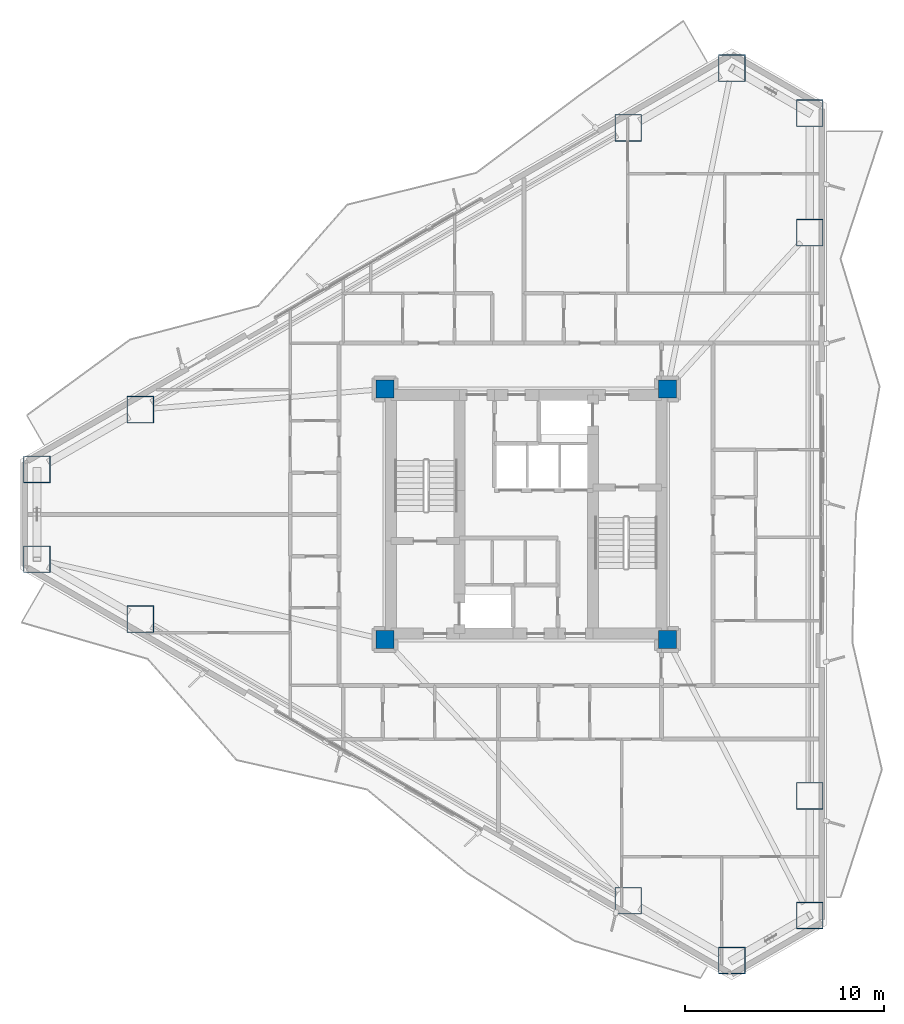
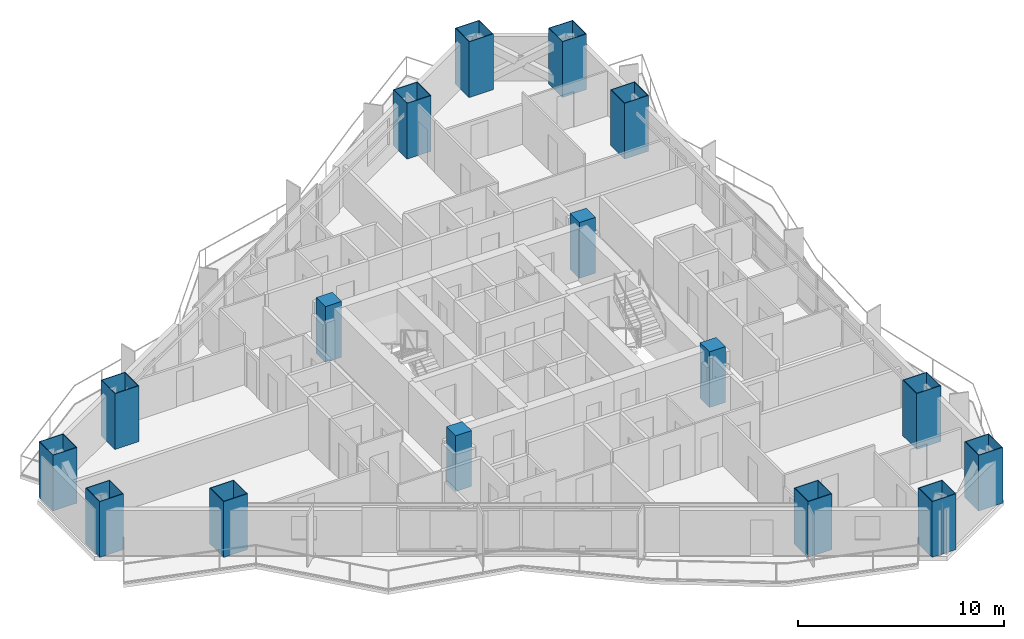
# One storey, part 1 of 18: 16 columns.
"""IFC4 building model written with IfcOpenShell, lengths in metres."""

from ifc_helpers import new_model, si_unit, direction, frame, origin, origin_2d, place, context, subcontext, project, spatial, rectangle, hollow_rectangle, extrude, material, material_profile, profile_set, type_object, element, save


model = new_model("IFC4")

# Units and contexts
model_context = context("Model", 3, precision=1e-05, world=origin(), true_north=direction((0.0, 1.0)))
body_context = subcontext(model_context, "Body", "Model", "MODEL_VIEW")
ifc_project = project(units=[si_unit("LENGTHUNIT", "METRE"), si_unit("AREAUNIT", "SQUARE_METRE"), si_unit("VOLUMEUNIT", "CUBIC_METRE"), si_unit("PLANEANGLEUNIT", "RADIAN"), si_unit("MASSUNIT", "GRAM", prefix="KILO")], contexts=[model_context])

# Site, building, storey
site_placement = place(None, origin())
site = spatial("IfcSite", under=ifc_project, at=site_placement, CompositionType="ELEMENT")
building_placement = place(site_placement, origin())
building = spatial("IfcBuilding", under=site, at=building_placement, Name="Mersakhor Tower and Convention Hall", CompositionType="ELEMENT")
storey_placement = place(building_placement, frame((0.0, 0.0, 32.39990234375)))
storey = spatial("IfcBuildingStorey", under=building, at=storey_placement, Name="L08", CompositionType="ELEMENT", Elevation=32.39990234375)

# Columns
ifc_material_1 = material(Name="Concrete C70/85 in S460M steel box", Category="concrete")
ifc_material_profile_1 = material_profile(ifc_material_1, hollow_rectangle(XDim=1.35009765625, YDim=1.35009765625, WallThickness=0.035888671875, at=origin_2d()), Name="SHS 1350x1350x36")
ifc_profile_set_1 = profile_set([ifc_material_profile_1], Name="Concrete C70/85 in S460M steel box")
column_type_1 = type_object("IfcColumnType", Name="COL-CFT-1350", PredefinedType="COLUMN", material=ifc_profile_set_1)
for number, where, z_axis, x_axis, name in (
    (1, (4.4130859375, 29.00927734375, 0.0), (0.0, 0.0, 1.0), (1.0, 0.0, 0.0), "L08 Perimeter Mega-Column MC-01"),
    (2, (9.61669921875, 32.013671875, 0.0), (0.0, 0.0, 1.0), (1.0, 0.0, 0.0), "L08 Perimeter Mega-Column MC-02"),
    (3, (34.13330078125, 46.168212890625, 0.0), (0.0, 0.0, 1.0), (1.0, 0.0, 0.0), "L08 Perimeter Mega-Column MC-03"),
    (4, (39.3369140625, 49.172607421875, 0.0), (0.0, 0.0, 1.0), (1.0, 0.0, 0.0), "L08 Perimeter Mega-Column MC-04"),
    (5, (43.25, 46.913330078125, 0.0), (0.0, 0.0, 1.0), (1.0, 0.0, 0.0), "L08 Perimeter Mega-Column MC-05"),
    (6, (43.25, 40.904541015625, 0.0), (0.0, 0.0, 1.0), (1.0, 0.0, 0.0), "L08 Perimeter Mega-Column MC-06"),
    (7, (43.25, 12.595458984375, 0.0), (0.0, 0.0, 1.0), (1.0, 0.0, 0.0), "L08 Perimeter Mega-Column MC-07"),
    (8, (43.25, 6.586669921875, 0.0), (0.0, 0.0, 1.0), (1.0, 0.0, 0.0), "L08 Perimeter Mega-Column MC-08"),
    (9, (39.3369140625, 4.327392578125, 0.0), (0.0, 0.0, 1.0), (1.0, 0.0, 0.0), "L08 Perimeter Mega-Column MC-09"),
    (10, (34.13330078125, 7.331787109375, 0.0), (0.0, 0.0, 1.0), (1.0, 0.0, 0.0), "L08 Perimeter Mega-Column MC-10"),
    (11, (9.61669921875, 21.486328125, 0.0), (0.0, 0.0, 1.0), (1.0, 0.0, 0.0), "L08 Perimeter Mega-Column MC-11"),
    (12, (4.4130859375, 24.49072265625, 0.0), (0.0, 0.0, 1.0), (1.0, 0.0, 0.0), "L08 Perimeter Mega-Column MC-12"),
):
    element("IfcColumn", number, at=place(storey_placement, frame(where, z_axis=z_axis, x_axis=x_axis)), inside=storey, type_object=column_type_1, Name=name, PredefinedType="COLUMN", context=body_context, shape_type="SweptSolid", body=[
        extrude(hollow_rectangle(XDim=1.35009765625, YDim=1.35009765625, WallThickness=0.035888671875, at=origin_2d()), origin(), (0.0, 0.0, 1.0), 3.300048828125),
    ])
ifc_material_2 = material(Name="Concrete C60/75", Category="concrete")
ifc_material_profile_2 = material_profile(ifc_material_2, rectangle(XDim=0.89990234375, YDim=0.89990234375, at=origin_2d()), Name="RC 900x900")
ifc_profile_set_2 = profile_set([ifc_material_profile_2], Name="Concrete C60/75")
column_type_2 = type_object("IfcColumnType", Name="COL-RC-900", PredefinedType="COLUMN", material=ifc_profile_set_2)
for number, where, z_axis, x_axis, name in (
    (13, (21.89990234375, 20.449951171875, 0.0), (0.0, 0.0, 1.0), (1.0, 0.0, 0.0), "L08 Core Corner Column CC-1"),
    (14, (21.89990234375, 33.050048828125, 0.0), (0.0, 0.0, 1.0), (1.0, 0.0, 0.0), "L08 Core Corner Column CC-2"),
    (15, (36.10009765625, 33.050048828125, 0.0), (0.0, 0.0, 1.0), (1.0, 0.0, 0.0), "L08 Core Corner Column CC-3"),
    (16, (36.10009765625, 20.449951171875, 0.0), (0.0, 0.0, 1.0), (1.0, 0.0, 0.0), "L08 Core Corner Column CC-4"),
):
    element("IfcColumn", number, at=place(storey_placement, frame(where, z_axis=z_axis, x_axis=x_axis)), inside=storey, type_object=column_type_2, Name=name, PredefinedType="COLUMN", context=body_context, shape_type="SweptSolid", body=[
        extrude(rectangle(XDim=0.89990234375, YDim=0.89990234375, at=origin_2d()), origin(), (0.0, 0.0, 1.0), 3.300048828125),
    ])

save(model, "model.ifc")
